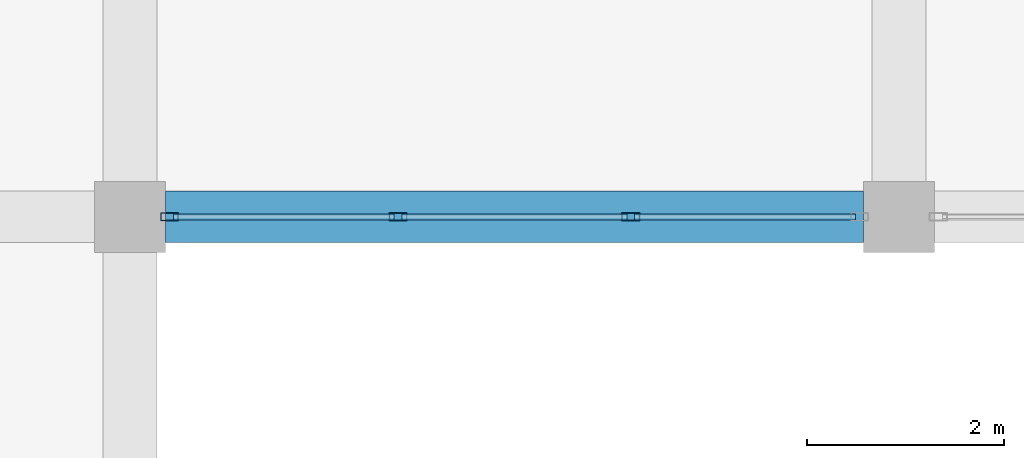
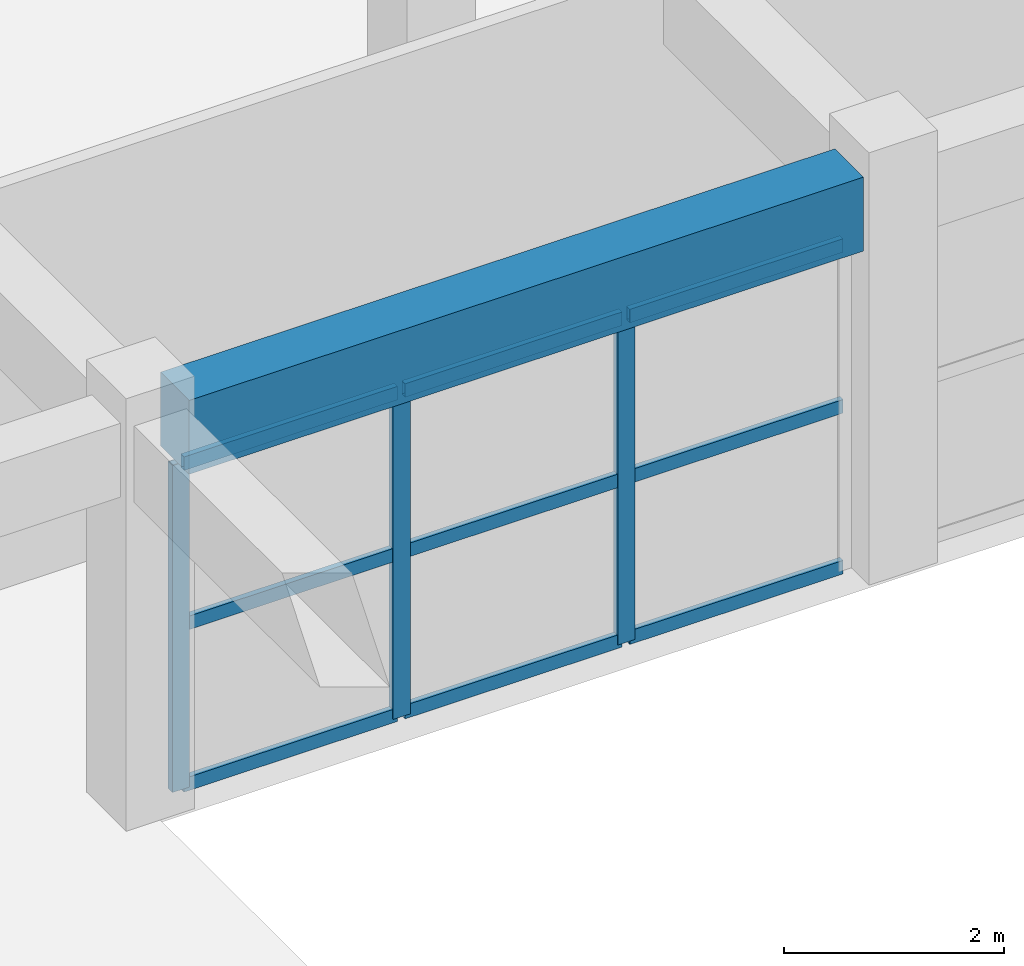
# One storey, part 75 of 139: 12 members, 1 beam, 1 element without a shape of its own.
"""IFC4 building model written with IfcOpenShell, lengths in metres."""

from ifc_helpers import new_model, si_unit, direction, frame, origin, origin_2d, place, context, subcontext, project, spatial, rectangle, hollow_rectangle, extrude, material, layer, layer_set, material_profile, profile_set, type_object, element, aggregate, save


model = new_model("IFC4")

# Units and contexts
model_context = context("Model", 3, precision=1e-05, world=origin(), true_north=direction((0.0, 1.0)))
body_context = subcontext(model_context, "Body", "Model", "MODEL_VIEW")
ifc_project = project(units=[si_unit("LENGTHUNIT", "METRE"), si_unit("AREAUNIT", "SQUARE_METRE"), si_unit("VOLUMEUNIT", "CUBIC_METRE"), si_unit("PLANEANGLEUNIT", "RADIAN"), si_unit("MASSUNIT", "GRAM", prefix="KILO")], contexts=[model_context])

# Site, building, storey
site_placement = place(None, origin())
site = spatial("IfcSite", under=ifc_project, at=site_placement, CompositionType="ELEMENT")
building_placement = place(site_placement, origin())
building = spatial("IfcBuilding", under=site, at=building_placement, Name="Zizhar Promenade General Hospital", CompositionType="ELEMENT")
storey_placement = place(building_placement, origin())
storey = spatial("IfcBuildingStorey", under=building, at=storey_placement, Name="L00", CompositionType="ELEMENT", Elevation=0.0)

# Beam
ifc_material_1 = material(Name="Concrete C35/45", Category="concrete")
ifc_material_profile_1 = material_profile(ifc_material_1, rectangle(XDim=0.52001953125, YDim=0.820068359375, at=origin_2d()))
ifc_profile_set_1 = profile_set([ifc_material_profile_1], Name="Concrete C35/45")
beam_type = type_object("IfcBeamType", Name="BM-RC-520x820", PredefinedType="BEAM", material=ifc_profile_set_1)
beam_placement = place(storey_placement, frame((148.56005859375, 92.39990234375, 4.06005859375), z_axis=(1.0, 0.0, 0.0), x_axis=(0.0, 1.0, 0.0)))
element("IfcBeam", 1, at=beam_placement, inside=storey, type_object=beam_type, Name="Grid Beam X L00 (19-11)", PredefinedType="BEAM", context=body_context, shape_type="SweptSolid", body=[
    extrude(rectangle(XDim=0.52001953125, YDim=0.820068359375, at=origin_2d()), origin(), (0.0, 0.0, 1.0), 7.079833984375),
])

# Curtain wall, members
ifc_material_2 = material(Name="Anodised aluminium 6063-T6 and low-E glass", Category="aluminium")
ifc_layer = layer(ifc_material_2, 0.159912109375)
ifc_layer_set = layer_set([ifc_layer], Name="Anodised aluminium 6063-T6 and low-E glass")
curtain_wall_type = type_object("IfcCurtainWallType", Name="CW-CLN-CRT", PredefinedType="NOTDEFINED", material=ifc_layer_set)
curtain_wall_placement = place(storey_placement, origin())
curtain_wall = element("IfcCurtainWall", 2, at=curtain_wall_placement, inside=storey, type_object=curtain_wall_type, Name="East Light Court North Glazing L00-19", PredefinedType="NOTDEFINED")
ifc_material_3 = material(Name="Anodised aluminium 6063-T6", Category="aluminium")
ifc_material_profile_2 = material_profile(ifc_material_3, hollow_rectangle(XDim=0.080078125, YDim=0.179931640625, WallThickness=0.0048828125, at=origin_2d()))
ifc_profile_set_2 = profile_set([ifc_material_profile_2], Name="Anodised aluminium 6063-T6")
member_type_1 = type_object("IfcMemberType", Name="CWM-ALU-180x80", PredefinedType="MULLION", material=ifc_profile_set_2)
member_1_placement = place(storey_placement, frame((153.280029296875, 92.39990234375, 0.0), z_axis=(0.0, 0.0, 1.0), x_axis=(0.0, -1.0, 0.0)))
member_1 = element("IfcMember", 3, at=member_1_placement, type_object=member_type_1, Name="CW-10 mullion 2", PredefinedType="MULLION", context=body_context, shape_type="SweptSolid", body=[
    extrude(hollow_rectangle(XDim=0.080078125, YDim=0.179931640625, WallThickness=0.0048828125, at=origin_2d()), origin(), (0.0, 0.0, 1.0), 3.6298828125),
])
member_2_placement = place(storey_placement, frame((150.919921875, 92.39990234375, 0.0), z_axis=(0.0, 0.0, 1.0), x_axis=(0.0, -1.0, 0.0)))
member_2 = element("IfcMember", 4, at=member_2_placement, type_object=member_type_1, Name="CW-10 mullion 3", PredefinedType="MULLION", context=body_context, shape_type="SweptSolid", body=[
    extrude(hollow_rectangle(XDim=0.080078125, YDim=0.179931640625, WallThickness=0.0048828125, at=origin_2d()), origin(), (0.0, 0.0, 1.0), 3.6298828125),
])
member_3_placement = place(storey_placement, frame((148.60009765625, 92.39990234375, 0.0), z_axis=(0.0, 0.0, 1.0), x_axis=(0.0, -1.0, 0.0)))
member_3 = element("IfcMember", 5, at=member_3_placement, type_object=member_type_1, Name="CW-10 mullion 4", PredefinedType="MULLION", context=body_context, shape_type="SweptSolid", body=[
    extrude(hollow_rectangle(XDim=0.080078125, YDim=0.179931640625, WallThickness=0.0048828125, at=origin_2d()), origin(), (0.0, 0.0, 1.0), 3.6298828125),
])
ifc_material_4 = material(Name="Anodised aluminium 6063-T6", Category="aluminium")
ifc_material_profile_3 = material_profile(ifc_material_4, hollow_rectangle(XDim=0.06005859375, YDim=0.14990234375, WallThickness=0.00390625, at=origin_2d()))
ifc_profile_set_3 = profile_set([ifc_material_profile_3], Name="Anodised aluminium 6063-T6")
member_type_2 = type_object("IfcMemberType", Name="CWT-ALU-150x60", PredefinedType="USERDEFINED", material=ifc_profile_set_3)
member_4_placement = place(storey_placement, frame((155.56005859375, 92.39990234375, 0.030029296875), z_axis=(-1.0, 0.0, 0.0), x_axis=(0.0, -1.0, 0.0)))
member_4 = element("IfcMember", 6, at=member_4_placement, type_object=member_type_2, Name="CW-10 transom 1.1", ObjectType="TRANSOM", PredefinedType="USERDEFINED", context=body_context, shape_type="SweptSolid", body=[
    extrude(hollow_rectangle(XDim=0.06005859375, YDim=0.14990234375, WallThickness=0.00390625, at=origin_2d()), origin(), (0.0, 0.0, 1.0), 2.239990234375),
])
member_5_placement = place(storey_placement, frame((155.56005859375, 92.39990234375, 1.81494140625), z_axis=(-1.0, 0.0, 0.0), x_axis=(0.0, -1.0, 0.0)))
member_5 = element("IfcMember", 7, at=member_5_placement, type_object=member_type_2, Name="CW-10 transom 1.2", ObjectType="TRANSOM", PredefinedType="USERDEFINED", context=body_context, shape_type="SweptSolid", body=[
    extrude(hollow_rectangle(XDim=0.06005859375, YDim=0.14990234375, WallThickness=0.00390625, at=origin_2d()), origin(), (0.0, 0.0, 1.0), 2.239990234375),
])
member_6_placement = place(storey_placement, frame((155.56005859375, 92.39990234375, 3.60009765625), z_axis=(-1.0, 0.0, 0.0), x_axis=(0.0, -1.0, 0.0)))
member_6 = element("IfcMember", 8, at=member_6_placement, type_object=member_type_2, Name="CW-10 transom 1.3", ObjectType="TRANSOM", PredefinedType="USERDEFINED", context=body_context, shape_type="SweptSolid", body=[
    extrude(hollow_rectangle(XDim=0.06005859375, YDim=0.14990234375, WallThickness=0.00390625, at=origin_2d()), origin(), (0.0, 0.0, 1.0), 2.239990234375),
])
member_7_placement = place(storey_placement, frame((153.239990234375, 92.39990234375, 0.030029296875), z_axis=(-1.0, 0.0, 0.0), x_axis=(0.0, -1.0, 0.0)))
member_7 = element("IfcMember", 9, at=member_7_placement, type_object=member_type_2, Name="CW-10 transom 2.1", ObjectType="TRANSOM", PredefinedType="USERDEFINED", context=body_context, shape_type="SweptSolid", body=[
    extrude(hollow_rectangle(XDim=0.06005859375, YDim=0.14990234375, WallThickness=0.00390625, at=origin_2d()), origin(), (0.0, 0.0, 1.0), 2.280029296875),
])
member_8_placement = place(storey_placement, frame((153.239990234375, 92.39990234375, 1.81494140625), z_axis=(-1.0, 0.0, 0.0), x_axis=(0.0, -1.0, 0.0)))
member_8 = element("IfcMember", 10, at=member_8_placement, type_object=member_type_2, Name="CW-10 transom 2.2", ObjectType="TRANSOM", PredefinedType="USERDEFINED", context=body_context, shape_type="SweptSolid", body=[
    extrude(hollow_rectangle(XDim=0.06005859375, YDim=0.14990234375, WallThickness=0.00390625, at=origin_2d()), origin(), (0.0, 0.0, 1.0), 2.280029296875),
])
member_9_placement = place(storey_placement, frame((153.239990234375, 92.39990234375, 3.60009765625), z_axis=(-1.0, 0.0, 0.0), x_axis=(0.0, -1.0, 0.0)))
member_9 = element("IfcMember", 11, at=member_9_placement, type_object=member_type_2, Name="CW-10 transom 2.3", ObjectType="TRANSOM", PredefinedType="USERDEFINED", context=body_context, shape_type="SweptSolid", body=[
    extrude(hollow_rectangle(XDim=0.06005859375, YDim=0.14990234375, WallThickness=0.00390625, at=origin_2d()), origin(), (0.0, 0.0, 1.0), 2.280029296875),
])
member_10_placement = place(storey_placement, frame((150.8798828125, 92.39990234375, 0.030029296875), z_axis=(-1.0, 0.0, 0.0), x_axis=(0.0, -1.0, 0.0)))
member_10 = element("IfcMember", 12, at=member_10_placement, type_object=member_type_2, Name="CW-10 transom 3.1", ObjectType="TRANSOM", PredefinedType="USERDEFINED", context=body_context, shape_type="SweptSolid", body=[
    extrude(hollow_rectangle(XDim=0.06005859375, YDim=0.14990234375, WallThickness=0.00390625, at=origin_2d()), origin(), (0.0, 0.0, 1.0), 2.239990234375),
])
member_11_placement = place(storey_placement, frame((150.8798828125, 92.39990234375, 1.81494140625), z_axis=(-1.0, 0.0, 0.0), x_axis=(0.0, -1.0, 0.0)))
member_11 = element("IfcMember", 13, at=member_11_placement, type_object=member_type_2, Name="CW-10 transom 3.2", ObjectType="TRANSOM", PredefinedType="USERDEFINED", context=body_context, shape_type="SweptSolid", body=[
    extrude(hollow_rectangle(XDim=0.06005859375, YDim=0.14990234375, WallThickness=0.00390625, at=origin_2d()), origin(), (0.0, 0.0, 1.0), 2.239990234375),
])
member_12_placement = place(storey_placement, frame((150.8798828125, 92.39990234375, 3.60009765625), z_axis=(-1.0, 0.0, 0.0), x_axis=(0.0, -1.0, 0.0)))
member_12 = element("IfcMember", 14, at=member_12_placement, type_object=member_type_2, Name="CW-10 transom 3.3", ObjectType="TRANSOM", PredefinedType="USERDEFINED", context=body_context, shape_type="SweptSolid", body=[
    extrude(hollow_rectangle(XDim=0.06005859375, YDim=0.14990234375, WallThickness=0.00390625, at=origin_2d()), origin(), (0.0, 0.0, 1.0), 2.239990234375),
])
aggregate(curtain_wall, [member_1, member_2, member_3, member_4, member_5, member_6, member_7, member_8, member_9, member_10, member_11, member_12])

save(model, "model.ifc")
